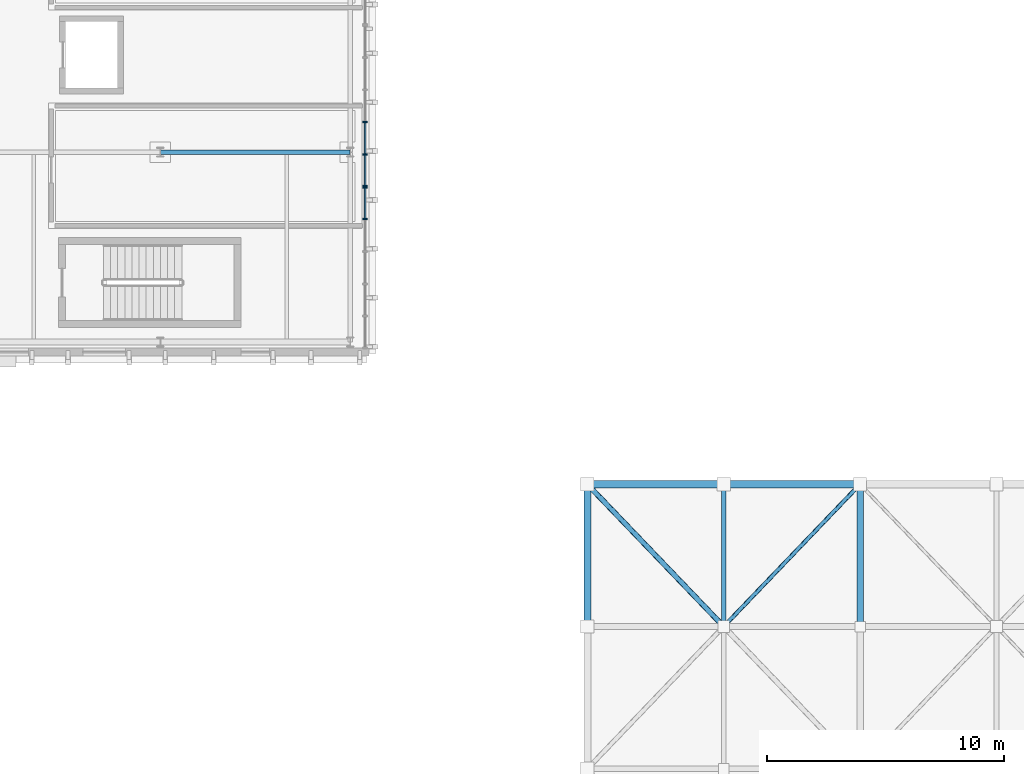
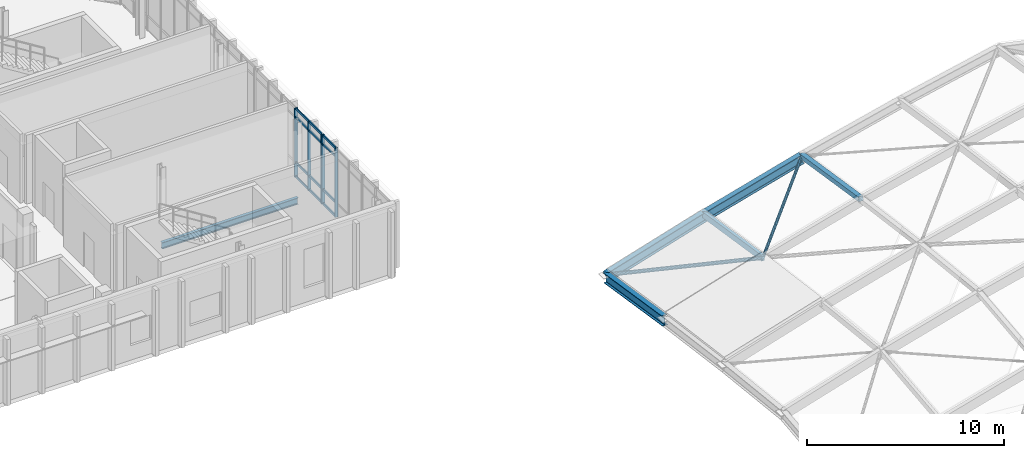
# One storey, part 10 of 62: 21 members, 4 beams, 2 elements without a shape of their own.
"""IFC4 building model written with IfcOpenShell, lengths in metres."""

import ifcopenshell
import ifcopenshell.guid

model = None  # the IFC model being written
_history = None  # IfcOwnerHistory: only IFC2X3 demands one
_inside = {}  # id of a spatial element -> (the spatial element, [elements in it])
_under = {}  # id of a project, library or spatial element -> (it, [spatial elements below it])
_declared = {}  # id of a project -> (the project, [libraries it declares])
_typed = {}  # id of a type object -> (the type object, [elements of that type])
_made_of = {}  # id of a material, layer set ... -> (it, [elements and type objects made of it])


def new_model(schema):
    """Start an empty IFC model of exactly this schema.

    Asked for "IFC4X3", IfcOpenShell would pick the latest addendum, in which some entities
    have other attributes; the version numbers below select the first issue.
    IFC2X3 requires an IfcOwnerHistory on every rooted entity: one is made here for all.
    """
    global model, _history
    if schema == "IFC4X3":
        model = ifcopenshell.file(schema_version=(4, 3, 0, 0))
    else:
        model = ifcopenshell.file(schema=schema)
    _inside.clear()
    _under.clear()
    _declared.clear()
    _typed.clear()
    _made_of.clear()
    _history = None
    if model.schema == "IFC2X3":
        org = make("IfcOrganization", Name="unknown")
        user = make(
            "IfcPersonAndOrganization",
            ThePerson=make("IfcPerson", FamilyName="unknown"),
            TheOrganization=org,
        )
        app = make(
            "IfcApplication",
            ApplicationDeveloper=org,
            Version="unknown",
            ApplicationFullName="unknown",
            ApplicationIdentifier="unknown",
        )
        _history = make(
            "IfcOwnerHistory",
            OwningUser=user,
            OwningApplication=app,
            ChangeAction="ADDED",
            CreationDate=0,
        )
    return model


def make(cls, **values):
    """One entity of the class cls with the attributes given. An attribute that is None is left unset."""
    return model.create_entity(
        cls, **{name: value for name, value in values.items() if value is not None}
    )


def rooted(cls, **values):
    """An entity with a GlobalId (a new one), such as an element, a storey or a relation."""
    return make(cls, GlobalId=ifcopenshell.guid.new(), OwnerHistory=_history, **values)


def si_unit(unit_type, name, prefix=None):
    """IfcSIUnit, for example si_unit("LENGTHUNIT", "METRE", prefix="MILLI")."""
    return make("IfcSIUnit", UnitType=unit_type, Prefix=prefix, Name=name)


def assignment(units):
    """IfcUnitAssignment: the units of a project."""
    return None if units is None else make("IfcUnitAssignment", Units=units)


def point(xyz):
    """IfcCartesianPoint."""
    return None if xyz is None else make("IfcCartesianPoint", Coordinates=xyz)


def direction(xyz):
    """IfcDirection."""
    return None if xyz is None else make("IfcDirection", DirectionRatios=xyz)


def frame(location, z_axis=None, x_axis=None):
    """IfcAxis2Placement3D, a coordinate frame: its origin and axes. An axis left out is left unset."""
    return make(
        "IfcAxis2Placement3D",
        Location=point(location),
        Axis=direction(z_axis),
        RefDirection=direction(x_axis),
    )


def frame_2d(location, x_axis=None):
    """IfcAxis2Placement2D, a coordinate frame in the plane: its origin and x axis."""
    return make(
        "IfcAxis2Placement2D", Location=point(location), RefDirection=direction(x_axis)
    )


def origin():
    """The frame at (0, 0, 0) with its axes left unset."""
    return frame((0.0, 0.0, 0.0))


def origin_2d():
    """The frame at (0, 0) in the plane with its x axis left unset."""
    return frame_2d((0.0, 0.0))


def place(relative_to, where):
    """IfcLocalPlacement: puts the frame where relative to a parent placement (None: the world)."""
    return make(
        "IfcLocalPlacement", PlacementRelTo=relative_to, RelativePlacement=where
    )


def context(
    kind, dimensions, precision=None, world=None, true_north=None, identifier=None
):
    """IfcGeometricRepresentationContext, for example the 3D "Model" context."""
    return make(
        "IfcGeometricRepresentationContext",
        ContextIdentifier=identifier,
        ContextType=kind,
        CoordinateSpaceDimension=dimensions,
        Precision=precision,
        WorldCoordinateSystem=world,
        TrueNorth=true_north,
    )


def subcontext(parent, identifier, kind, view, scale=None):
    """IfcGeometricRepresentationSubContext, for example "Body" below "Model"."""
    return make(
        "IfcGeometricRepresentationSubContext",
        ContextIdentifier=identifier,
        ContextType=kind,
        ParentContext=parent,
        TargetScale=scale,
        TargetView=view,
    )


def project(units=None, contexts=None):
    """IfcProject with its units and contexts."""
    return rooted(
        "IfcProject",
        Name="project",
        RepresentationContexts=contexts,
        UnitsInContext=assignment(units),
    )


def spatial(cls, under=None, at=None, **own):
    """A site, building, storey or space (cls), placed at a placement, below another one or the project."""
    s = rooted(cls, ObjectPlacement=at, **own)
    if under is not None:
        _under.setdefault(under.id(), (under, []))[1].append(s)
    return s


def profile(cls, at=None, kind="AREA", **sizes):
    """A parametric profile (cls). Its sizes go by their IFC names, for example OverallWidth=200.0."""
    return make(cls, ProfileType=kind, Position=at, **sizes)


def rectangle(**sizes):
    """IfcRectangleProfileDef."""
    return profile("IfcRectangleProfileDef", **sizes)


def hollow_circle(**sizes):
    """IfcCircleHollowProfileDef."""
    return profile("IfcCircleHollowProfileDef", **sizes)


def i_section(**sizes):
    """IfcIShapeProfileDef."""
    return profile("IfcIShapeProfileDef", **sizes)


def extrude(swept, where, along, depth):
    """IfcExtrudedAreaSolid: the profile swept, set in the frame where, extruded along a direction by depth."""
    return make(
        "IfcExtrudedAreaSolid",
        SweptArea=swept,
        Position=where,
        ExtrudedDirection=direction(along),
        Depth=depth,
    )


def shape(context_of_items, identifier, shape_type, items):
    """IfcShapeRepresentation: the items that make up one representation, for example the "Body"."""
    return make(
        "IfcShapeRepresentation",
        ContextOfItems=context_of_items,
        RepresentationIdentifier=identifier,
        RepresentationType=shape_type,
        Items=items,
    )


def material(Name=None, Category=None):
    """IfcMaterial."""
    return make("IfcMaterial", Name=Name, Category=Category)


def material_profile(
    of_material, cross_section, Name=None, Category=None, Priority=None
):
    """IfcMaterialProfile: a cross section and its material."""
    return make(
        "IfcMaterialProfile",
        Name=Name,
        Material=of_material,
        Profile=cross_section,
        Priority=Priority,
        Category=Category,
    )


def profile_set(profiles, Name=None, composite=None):
    """IfcMaterialProfileSet."""
    return make(
        "IfcMaterialProfileSet",
        Name=Name,
        MaterialProfiles=profiles,
        CompositeProfile=composite,
    )


def made_of(thing, what):
    """Note that an element or type object is made of a material, layer set ...; save() writes the relation."""
    if what is not None:
        _made_of.setdefault(what.id(), (what, []))[1].append(thing)
    return thing


def type_object(cls, material=None, **own):
    """A type object (cls), such as IfcWallType, which elements share."""
    return made_of(rooted(cls, **own), material)


def element(
    cls,
    number,
    at=None,
    inside=None,
    cuts=None,
    type_object=None,
    material=None,
    context=None,
    identifier="Body",
    shape_type=None,
    held_by="IfcProductDefinitionShape",
    body=None,
    shapes=None,
    **own,
):
    """One element of the class cls, such as IfcWall. Its Tag is "e" and its number.

    at: its placement. inside: the storey or other place that contains it. cuts: it is an
    opening in that element (IfcRelVoidsElement). A single representation is given by context,
    identifier, shape_type and body (its items); several are given by shapes. held_by: the class
    of the entity that holds the representations. save() writes the other relations.
    """
    e = rooted(cls, Tag="e%d" % number, ObjectPlacement=at, **own)
    if body is not None:
        shapes = [shape(context, identifier, shape_type, body)]
    if shapes is not None:
        e.Representation = make(held_by, Representations=shapes)
    if inside is not None:
        _inside.setdefault(inside.id(), (inside, []))[1].append(e)
    if cuts is not None:
        rooted(
            "IfcRelVoidsElement", RelatingBuildingElement=cuts, RelatedOpeningElement=e
        )
    if type_object is not None:
        _typed.setdefault(type_object.id(), (type_object, []))[1].append(e)
    return made_of(e, material)


def aggregate(whole, parts):
    """IfcRelAggregates: a whole, such as a stair, and the parts it consists of."""
    return rooted("IfcRelAggregates", RelatingObject=whole, RelatedObjects=parts)


def save(model, path):
    """Write the relations noted so far, then the file.

    IfcRelAggregates (storeys below a building ...), IfcRelContainedInSpatialStructure (elements
    in a storey), IfcRelDefinesByType, IfcRelAssociatesMaterial and IfcRelDeclares: one each for
    every whole, place, type object, material and project.
    """
    for whole, parts in _under.values():
        aggregate(whole, parts)
    for where, things in _inside.values():
        rooted(
            "IfcRelContainedInSpatialStructure",
            RelatedElements=things,
            RelatingStructure=where,
        )
    for kind, things in _typed.values():
        rooted("IfcRelDefinesByType", RelatedObjects=things, RelatingType=kind)
    for what, things in _made_of.values():
        rooted("IfcRelAssociatesMaterial", RelatedObjects=things, RelatingMaterial=what)
    for by, libraries in _declared.values():
        rooted("IfcRelDeclares", RelatingContext=by, RelatedDefinitions=libraries)
    model.write(path)


model = new_model("IFC4")

# Units and contexts
model_context = context("Model", 3, precision=1e-05, world=origin(), true_north=direction((0.0, 1.0)))
body_context = subcontext(model_context, "Body", "Model", "MODEL_VIEW")
ifc_project = project(units=[si_unit("LENGTHUNIT", "METRE"), si_unit("AREAUNIT", "SQUARE_METRE"), si_unit("VOLUMEUNIT", "CUBIC_METRE"), si_unit("PLANEANGLEUNIT", "RADIAN"), si_unit("MASSUNIT", "GRAM", prefix="KILO")], contexts=[model_context])

# Site, building, storey
site_placement = place(None, origin())
site = spatial("IfcSite", under=ifc_project, at=site_placement, CompositionType="ELEMENT")
building_placement = place(site_placement, origin())
building = spatial("IfcBuilding", under=site, at=building_placement, Name="Cymarion Research Institute", CompositionType="ELEMENT")
storey_placement = place(building_placement, frame((0.0, 0.0, 18.300048828125)))
storey = spatial("IfcBuildingStorey", under=building, at=storey_placement, Name="L04", CompositionType="ELEMENT", Elevation=18.300048828125)

# Curtain wall, members
ifc_material_1 = material(Name="Anodised aluminium unitised curtain wall with Low-E glazing", Category="aluminium")
curtain_wall_type = type_object("IfcCurtainWallType", Name="UNITISED CURTAIN WALL CW40 6820X4280", PredefinedType="NOTDEFINED", material=ifc_material_1)
curtain_wall_1_placement = place(storey_placement, origin())
curtain_wall_1 = element("IfcCurtainWall", 1, at=curtain_wall_1_placement, inside=storey, type_object=curtain_wall_type, Name="L04 V4 unitised curtain wall CW40 #177", PredefinedType="NOTDEFINED")
ifc_material_2 = material(Name="Anodised aluminium framing", Category="aluminium")
ifc_material_profile_1 = material_profile(ifc_material_2, rectangle(XDim=0.06005859375, YDim=0.179931640625, at=origin_2d()), Name="ALU MULLION 60x180")
ifc_profile_set_1 = profile_set([ifc_material_profile_1], Name="Anodised aluminium framing")
member_type_1 = type_object("IfcMemberType", Name="CURTAIN WALL MULLION ML01 60X180", PredefinedType="MULLION", material=ifc_profile_set_1)
member_1_placement = place(storey_placement, frame((47.22998046875, 52.677490234375, 0.0), z_axis=(0.0, 0.0, 1.0), x_axis=(0.0, 1.0, 0.0)))
member_1 = element("IfcMember", 2, at=member_1_placement, type_object=member_type_1, Name="CW40 mullion 5", PredefinedType="MULLION", context=body_context, shape_type="SweptSolid", body=[
    extrude(rectangle(XDim=0.06005859375, YDim=0.179931640625, at=origin_2d()), origin(), (0.0, 0.0, 1.0), 4.280029296875),
])
member_2_placement = place(storey_placement, frame((47.22998046875, 54.011474609375, 0.0), z_axis=(0.0, 0.0, 1.0), x_axis=(0.0, 1.0, 0.0)))
member_2 = element("IfcMember", 3, at=member_2_placement, type_object=member_type_1, Name="CW40 mullion 6", PredefinedType="MULLION", context=body_context, shape_type="SweptSolid", body=[
    extrude(rectangle(XDim=0.06005859375, YDim=0.179931640625, at=origin_2d()), origin(), (0.0, 0.0, 1.0), 4.280029296875),
])

curtain_wall_2_placement = place(storey_placement, origin())
curtain_wall_2 = element("IfcCurtainWall", 4, at=curtain_wall_2_placement, inside=storey, type_object=curtain_wall_type, Name="L04 V4 unitised curtain wall CW40 #178", PredefinedType="NOTDEFINED")
member_3_placement = place(storey_placement, frame((47.22998046875, 54.071533203125, 0.0), z_axis=(0.0, 0.0, 1.0), x_axis=(0.0, 1.0, 0.0)))
member_3 = element("IfcMember", 5, at=member_3_placement, type_object=member_type_1, Name="CW40 mullion 1", PredefinedType="MULLION", context=body_context, shape_type="SweptSolid", body=[
    extrude(rectangle(XDim=0.06005859375, YDim=0.179931640625, at=origin_2d()), origin(), (0.0, 0.0, 1.0), 4.280029296875),
])
member_4_placement = place(storey_placement, frame((47.22998046875, 55.405517578125, 0.0), z_axis=(0.0, 0.0, 1.0), x_axis=(0.0, 1.0, 0.0)))
member_4 = element("IfcMember", 6, at=member_4_placement, type_object=member_type_1, Name="CW40 mullion 2", PredefinedType="MULLION", context=body_context, shape_type="SweptSolid", body=[
    extrude(rectangle(XDim=0.06005859375, YDim=0.179931640625, at=origin_2d()), origin(), (0.0, 0.0, 1.0), 4.280029296875),
])
member_5_placement = place(storey_placement, frame((47.22998046875, 56.769287109375, 0.0), z_axis=(0.0, 0.0, 1.0), x_axis=(0.0, 1.0, 0.0)))
member_5 = element("IfcMember", 7, at=member_5_placement, type_object=member_type_1, Name="CW40 mullion 3", PredefinedType="MULLION", context=body_context, shape_type="SweptSolid", body=[
    extrude(rectangle(XDim=0.06005859375, YDim=0.179931640625, at=origin_2d()), origin(), (0.0, 0.0, 1.0), 4.280029296875),
])

# Member
ifc_material_profile_2 = material_profile(ifc_material_2, rectangle(XDim=0.06005859375, YDim=0.14990234375, at=origin_2d()), Name="ALU TRANSOM 60x150")
ifc_profile_set_2 = profile_set([ifc_material_profile_2], Name="Anodised aluminium framing")
member_type_2 = type_object("IfcMemberType", Name="CURTAIN WALL TRANSOM TR01 60X150", PredefinedType="USERDEFINED", material=ifc_profile_set_2)
member_6_placement = place(storey_placement, frame((47.22998046875, 52.70751953125, 0.030029296875), z_axis=(0.0, 1.0, 0.0), x_axis=(-1.0, 0.0, 0.0)))
member_6 = element("IfcMember", 8, at=member_6_placement, type_object=member_type_2, Name="CW40 transom 5.1", ObjectType="TRANSOM", PredefinedType="USERDEFINED", context=body_context, shape_type="SweptSolid", body=[
    extrude(rectangle(XDim=0.06005859375, YDim=0.14990234375, at=origin_2d()), origin(), (0.0, 0.0, 1.0), 1.27392578125),
])

member_7_placement = place(storey_placement, frame((47.22998046875, 52.70751953125, 0.89990234375), z_axis=(0.0, 1.0, 0.0), x_axis=(-1.0, 0.0, 0.0)))
member_7 = element("IfcMember", 9, at=member_7_placement, type_object=member_type_2, Name="CW40 transom 5.2", ObjectType="TRANSOM", PredefinedType="USERDEFINED", context=body_context, shape_type="SweptSolid", body=[
    extrude(rectangle(XDim=0.06005859375, YDim=0.14990234375, at=origin_2d()), origin(), (0.0, 0.0, 1.0), 1.27392578125),
])

member_8_placement = place(storey_placement, frame((47.22998046875, 52.70751953125, 3.72998046875), z_axis=(0.0, 1.0, 0.0), x_axis=(-1.0, 0.0, 0.0)))
member_8 = element("IfcMember", 10, at=member_8_placement, type_object=member_type_2, Name="CW40 transom 5.3", ObjectType="TRANSOM", PredefinedType="USERDEFINED", context=body_context, shape_type="SweptSolid", body=[
    extrude(rectangle(XDim=0.06005859375, YDim=0.14990234375, at=origin_2d()), origin(), (0.0, 0.0, 1.0), 1.27392578125),
])

member_9_placement = place(storey_placement, frame((47.22998046875, 52.70751953125, 4.25), z_axis=(0.0, 1.0, 0.0), x_axis=(-1.0, 0.0, 0.0)))
member_9 = element("IfcMember", 11, at=member_9_placement, type_object=member_type_2, Name="CW40 transom 5.4", ObjectType="TRANSOM", PredefinedType="USERDEFINED", context=body_context, shape_type="SweptSolid", body=[
    extrude(rectangle(XDim=0.06005859375, YDim=0.14990234375, at=origin_2d()), origin(), (0.0, 0.0, 1.0), 1.27392578125),
])

aggregate(curtain_wall_1, [member_1, member_2, member_6, member_7, member_8, member_9])

member_10_placement = place(storey_placement, frame((47.22998046875, 54.1015625, 0.030029296875), z_axis=(0.0, 1.0, 0.0), x_axis=(-1.0, 0.0, 0.0)))
member_10 = element("IfcMember", 12, at=member_10_placement, type_object=member_type_2, Name="CW40 transom 1.1", ObjectType="TRANSOM", PredefinedType="USERDEFINED", context=body_context, shape_type="SweptSolid", body=[
    extrude(rectangle(XDim=0.06005859375, YDim=0.14990234375, at=origin_2d()), origin(), (0.0, 0.0, 1.0), 1.27392578125),
])

member_11_placement = place(storey_placement, frame((47.22998046875, 54.1015625, 0.89990234375), z_axis=(0.0, 1.0, 0.0), x_axis=(-1.0, 0.0, 0.0)))
member_11 = element("IfcMember", 13, at=member_11_placement, type_object=member_type_2, Name="CW40 transom 1.2", ObjectType="TRANSOM", PredefinedType="USERDEFINED", context=body_context, shape_type="SweptSolid", body=[
    extrude(rectangle(XDim=0.06005859375, YDim=0.14990234375, at=origin_2d()), origin(), (0.0, 0.0, 1.0), 1.27392578125),
])

member_12_placement = place(storey_placement, frame((47.22998046875, 54.1015625, 3.72998046875), z_axis=(0.0, 1.0, 0.0), x_axis=(-1.0, 0.0, 0.0)))
member_12 = element("IfcMember", 14, at=member_12_placement, type_object=member_type_2, Name="CW40 transom 1.3", ObjectType="TRANSOM", PredefinedType="USERDEFINED", context=body_context, shape_type="SweptSolid", body=[
    extrude(rectangle(XDim=0.06005859375, YDim=0.14990234375, at=origin_2d()), origin(), (0.0, 0.0, 1.0), 1.27392578125),
])

member_13_placement = place(storey_placement, frame((47.22998046875, 54.1015625, 4.25), z_axis=(0.0, 1.0, 0.0), x_axis=(-1.0, 0.0, 0.0)))
member_13 = element("IfcMember", 15, at=member_13_placement, type_object=member_type_2, Name="CW40 transom 1.4", ObjectType="TRANSOM", PredefinedType="USERDEFINED", context=body_context, shape_type="SweptSolid", body=[
    extrude(rectangle(XDim=0.06005859375, YDim=0.14990234375, at=origin_2d()), origin(), (0.0, 0.0, 1.0), 1.27392578125),
])

member_14_placement = place(storey_placement, frame((47.22998046875, 55.435302734375, 0.030029296875), z_axis=(0.0, 1.0, 0.0), x_axis=(-1.0, 0.0, 0.0)))
member_14 = element("IfcMember", 16, at=member_14_placement, type_object=member_type_2, Name="CW40 transom 2.1", ObjectType="TRANSOM", PredefinedType="USERDEFINED", context=body_context, shape_type="SweptSolid", body=[
    extrude(rectangle(XDim=0.06005859375, YDim=0.14990234375, at=origin_2d()), origin(), (0.0, 0.0, 1.0), 1.303955078125),
])

member_15_placement = place(storey_placement, frame((47.22998046875, 55.435302734375, 0.89990234375), z_axis=(0.0, 1.0, 0.0), x_axis=(-1.0, 0.0, 0.0)))
member_15 = element("IfcMember", 17, at=member_15_placement, type_object=member_type_2, Name="CW40 transom 2.2", ObjectType="TRANSOM", PredefinedType="USERDEFINED", context=body_context, shape_type="SweptSolid", body=[
    extrude(rectangle(XDim=0.06005859375, YDim=0.14990234375, at=origin_2d()), origin(), (0.0, 0.0, 1.0), 1.303955078125),
])

member_16_placement = place(storey_placement, frame((47.22998046875, 55.435302734375, 3.72998046875), z_axis=(0.0, 1.0, 0.0), x_axis=(-1.0, 0.0, 0.0)))
member_16 = element("IfcMember", 18, at=member_16_placement, type_object=member_type_2, Name="CW40 transom 2.3", ObjectType="TRANSOM", PredefinedType="USERDEFINED", context=body_context, shape_type="SweptSolid", body=[
    extrude(rectangle(XDim=0.06005859375, YDim=0.14990234375, at=origin_2d()), origin(), (0.0, 0.0, 1.0), 1.303955078125),
])

member_17_placement = place(storey_placement, frame((47.22998046875, 55.435302734375, 4.25), z_axis=(0.0, 1.0, 0.0), x_axis=(-1.0, 0.0, 0.0)))
member_17 = element("IfcMember", 19, at=member_17_placement, type_object=member_type_2, Name="CW40 transom 2.4", ObjectType="TRANSOM", PredefinedType="USERDEFINED", context=body_context, shape_type="SweptSolid", body=[
    extrude(rectangle(XDim=0.06005859375, YDim=0.14990234375, at=origin_2d()), origin(), (0.0, 0.0, 1.0), 1.303955078125),
])

aggregate(curtain_wall_2, [member_3, member_4, member_5, member_10, member_11, member_12, member_13, member_14, member_15, member_16, member_17])

# Beams
ifc_material_3 = material(Name="Steel S355", Category="steel")
ifc_material_profile_3 = material_profile(ifc_material_3, i_section(OverallWidth=0.179931640625, OverallDepth=0.39990234375, WebThickness=0.008544921875, FlangeThickness=0.013427734375, FilletRadius=0.02099609375, at=origin_2d()), Name="IPE 400")
ifc_profile_set_3 = profile_set([ifc_material_profile_3], Name="Steel S355")
beam_type_1 = type_object("IfcBeamType", Name="PRIMARY GIRDER BM05 IPE 400", PredefinedType="BEAM", material=ifc_profile_set_3)
beam_1_placement = place(storey_placement, frame((38.60595703125, 55.5, -0.449951171875), z_axis=(1.0, 0.0, 0.0), x_axis=(0.0, 1.0, 0.0)))
element("IfcBeam", 20, at=beam_1_placement, inside=storey, type_object=beam_type_1, Name="L04 V4 girder BM05 #1711", PredefinedType="BEAM", context=body_context, shape_type="SweptSolid", body=[
    extrude(i_section(OverallWidth=0.179931640625, OverallDepth=0.39990234375, WebThickness=0.008544921875, FlangeThickness=0.013427734375, FilletRadius=0.02099609375, at=origin_2d()), origin(), (0.0, 0.0, 1.0), 7.988037109375),
])
ifc_material_profile_4 = material_profile(ifc_material_3, i_section(OverallWidth=0.300048828125, OverallDepth=0.60009765625, WebThickness=0.015380859375, FlangeThickness=0.030029296875, FilletRadius=0.027099609375, at=origin_2d()), Name="HEB 600")
ifc_profile_set_4 = profile_set([ifc_material_profile_4], Name="Steel S355")
beam_type_2 = type_object("IfcBeamType", Name="SPANDREL BEAM SPB01 HEB 600", PredefinedType="SPANDREL", material=ifc_profile_set_4)
beam_2_placement = place(storey_placement, frame((56.60791015625, 41.5, -0.22216796875), z_axis=(0.955982073369, 0.0, 0.293425076294), x_axis=(0.0, 1.0, 0.0)))
element("IfcBeam", 21, at=beam_2_placement, inside=storey, type_object=beam_type_2, Name="Gridshell perimeter thrust ring beam X 1", PredefinedType="SPANDREL", context=body_context, shape_type="SweptSolid", body=[
    extrude(i_section(OverallWidth=0.300048828125, OverallDepth=0.60009765625, WebThickness=0.015380859375, FlangeThickness=0.030029296875, FilletRadius=0.027099609375, at=origin_2d()), origin(), (0.0, 0.0, 1.0), 5.998046875),
])
beam_3_placement = place(storey_placement, frame((62.35791015625, 41.5, 1.537841796875), z_axis=(0.963201733469, 0.0, 0.268779501901), x_axis=(0.0, 1.0, 0.0)))
element("IfcBeam", 22, at=beam_3_placement, inside=storey, type_object=beam_type_2, Name="Gridshell perimeter thrust ring beam X 2", PredefinedType="SPANDREL", context=body_context, shape_type="SweptSolid", body=[
    extrude(i_section(OverallWidth=0.300048828125, OverallDepth=0.60009765625, WebThickness=0.015380859375, FlangeThickness=0.030029296875, FilletRadius=0.027099609375, at=origin_2d()), origin(), (0.0, 0.0, 1.0), 5.953125),
])
beam_4_placement = place(storey_placement, frame((56.60009765625, 35.508056640625, 0.7080078125), z_axis=(0.0, 0.988132791738, -0.153602037394), x_axis=(-1.0, 0.0, 0.0)))
element("IfcBeam", 23, at=beam_4_placement, inside=storey, type_object=beam_type_2, Name="Gridshell perimeter thrust ring beam Y 6", PredefinedType="SPANDREL", context=body_context, shape_type="SweptSolid", body=[
    extrude(i_section(OverallWidth=0.300048828125, OverallDepth=0.60009765625, WebThickness=0.015380859375, FlangeThickness=0.030029296875, FilletRadius=0.027099609375, at=origin_2d()), origin(), (0.0, 0.0, 1.0), 6.0556640625),
])

# Members
ifc_material_profile_5 = material_profile(ifc_material_3, hollow_circle(Radius=0.109619140625, WallThickness=0.010009765625, at=origin_2d()), Name="CHS 219.1x10")
ifc_profile_set_5 = profile_set([ifc_material_profile_5], Name="Steel S355")
member_type_3 = type_object("IfcMemberType", Name="STRUCTURAL MEMBER BR02 CHS 219.1x10", PredefinedType="BRACE", material=ifc_profile_set_5)
member_18_placement = place(storey_placement, frame((62.340087890625, 35.51025390625, 2.583251953125), z_axis=(-0.658273683226, 0.686908910979, -0.307947894927), x_axis=(-0.721995568113, -0.691897680026, 0.0)))
element("IfcMember", 24, at=member_18_placement, inside=storey, type_object=member_type_3, Name="Gridshell tubular diagonal brace BR02 #88", PredefinedType="BRACE", context=body_context, shape_type="SweptSolid", body=[
    extrude(hollow_circle(Radius=0.109619140625, WallThickness=0.010009765625, at=origin_2d()), origin(), (0.0, 0.0, 1.0), 8.704833984375),
])
ifc_material_profile_6 = material_profile(ifc_material_3, hollow_circle(Radius=0.084228515625, WallThickness=0.008056640625, at=origin_2d()), Name="CHS 168.3x8")
ifc_profile_set_6 = profile_set([ifc_material_profile_6], Name="Steel S355")
member_type_4 = type_object("IfcMemberType", Name="STRUCTURAL MEMBER BR05 CHS 168.3x8", PredefinedType="BRACE", material=ifc_profile_set_6)
member_19_placement = place(storey_placement, frame((62.3603515625, 35.5107421875, 2.589111328125), z_axis=(0.689656506381, 0.719662015948, 0.080377148547), x_axis=(-0.721998024065, 0.69189511723, 0.0)))
element("IfcMember", 25, at=member_19_placement, inside=storey, type_object=member_type_4, Name="Gridshell tubular diagonal brace BR05 #94", PredefinedType="BRACE", context=body_context, shape_type="SweptSolid", body=[
    extrude(hollow_circle(Radius=0.084228515625, WallThickness=0.008056640625, at=origin_2d()), origin(), (0.0, 0.0, 1.0), 8.307373046875),
])
ifc_material_4 = material(Name="Glulam GL28h", Category="wood")
ifc_material_profile_7 = material_profile(ifc_material_4, rectangle(XDim=0.179931640625, YDim=0.360107421875, at=origin_2d()), Name="GL28h 180x360")
ifc_profile_set_7 = profile_set([ifc_material_profile_7], Name="Glulam GL28h")
member_type_5 = type_object("IfcMemberType", Name="STRUCTURAL MEMBER GR04 GL28h 180x360", PredefinedType="PURLIN", material=ifc_profile_set_7)
member_20_placement = place(storey_placement, frame((62.35009765625, 35.508056640625, 2.587890625), z_axis=(0.0, 0.988138910046, -0.15356267272), x_axis=(-1.0, 0.0, 0.0)))
element("IfcMember", 26, at=member_20_placement, inside=storey, type_object=member_type_5, Name="Gridshell glulam transverse purlin GR04 #46", PredefinedType="PURLIN", context=body_context, shape_type="SweptSolid", body=[
    extrude(rectangle(XDim=0.179931640625, YDim=0.360107421875, at=origin_2d()), origin(), (0.0, 0.0, 1.0), 6.0556640625),
])
ifc_material_profile_8 = material_profile(ifc_material_4, rectangle(XDim=0.280029296875, YDim=0.280029296875, at=origin_2d()), Name="GL28h 280x280")
ifc_profile_set_8 = profile_set([ifc_material_profile_8], Name="Glulam GL28h")
member_type_6 = type_object("IfcMemberType", Name="STRUCTURAL MEMBER GR05 GL28h 280x280", PredefinedType="PURLIN", material=ifc_profile_set_8)
member_21_placement = place(storey_placement, frame((68.10009765625, 35.508056640625, 4.22802734375), z_axis=(0.0, 0.988132791738, -0.153602037394), x_axis=(-1.0, 0.0, 0.0)))
element("IfcMember", 27, at=member_21_placement, inside=storey, type_object=member_type_6, Name="Gridshell glulam transverse purlin GR05 #52", PredefinedType="PURLIN", context=body_context, shape_type="SweptSolid", body=[
    extrude(rectangle(XDim=0.280029296875, YDim=0.280029296875, at=origin_2d()), origin(), (0.0, 0.0, 1.0), 6.0556640625),
])

save(model, "model.ifc")
